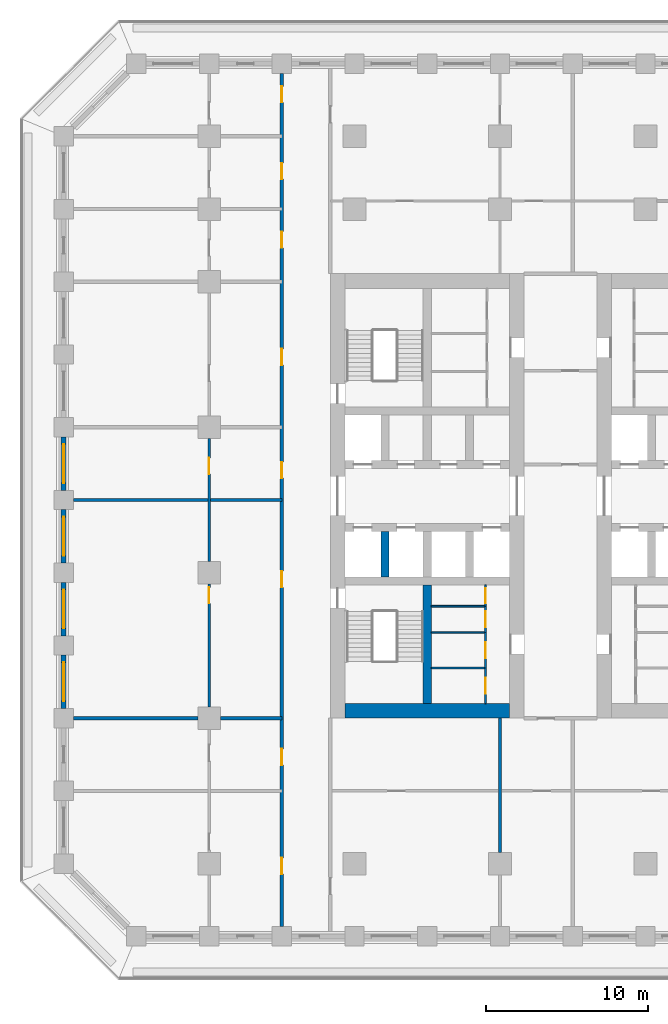
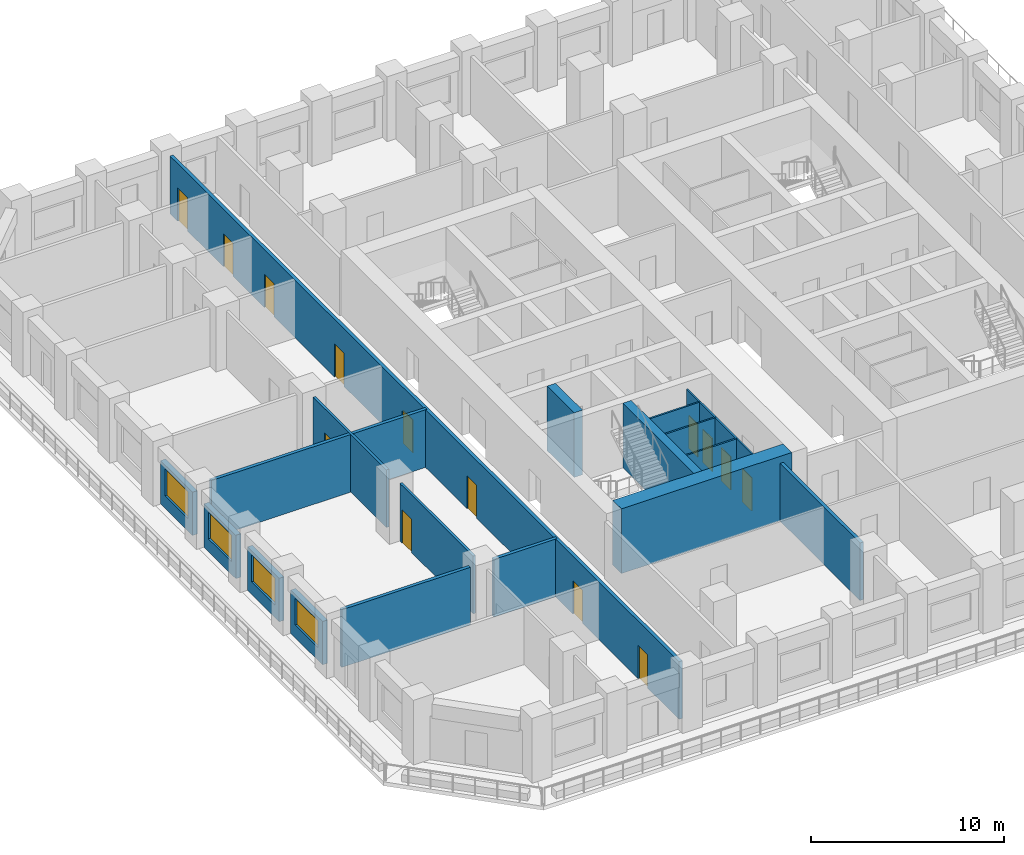
# One storey, part 3 of 17: 21 walls, 14 doors, 4 windows, 18 openings.
"""IFC4 building model written with IfcOpenShell, lengths in metres."""

from ifc_helpers import new_model, si_unit, direction, frame, frame_2d, origin, place, context, subcontext, project, spatial, rectangle, extrude, material, layer, layer_set, type_object, element, fill, save


model = new_model("IFC4")

# Units and contexts
model_context = context("Model", 3, precision=1e-05, world=origin(), true_north=direction((0.0, 1.0)))
body_context = subcontext(model_context, "Body", "Model", "MODEL_VIEW")
ifc_project = project(units=[si_unit("LENGTHUNIT", "METRE"), si_unit("AREAUNIT", "SQUARE_METRE"), si_unit("VOLUMEUNIT", "CUBIC_METRE"), si_unit("PLANEANGLEUNIT", "RADIAN"), si_unit("MASSUNIT", "GRAM", prefix="KILO")], contexts=[model_context])

# Site, building, storey
site_placement = place(None, origin())
site = spatial("IfcSite", under=ifc_project, at=site_placement, CompositionType="ELEMENT")
building_placement = place(site_placement, origin())
building = spatial("IfcBuilding", under=site, at=building_placement, Name="Corbel Stack Research Tower", CompositionType="ELEMENT")
storey_placement = place(building_placement, frame((0.0, 0.0, 129.0)))
storey = spatial("IfcBuildingStorey", under=building, at=storey_placement, Name="L29", CompositionType="ELEMENT", Elevation=129.0)

# Walls
ifc_material_1 = material(Name="Concrete C70/85", Category="concrete")
ifc_layer_1 = layer(ifc_material_1, 0.5)
ifc_layer_set_1 = layer_set([ifc_layer_1], Name="Concrete C70/85")
wall_type_1 = type_object("IfcWallType", Name="CW-500-70", PredefinedType="SHEAR", material=ifc_layer_set_1)
wall_1_placement = place(storey_placement, frame((-7.125, -0.25, 0.0), z_axis=(0.0, 0.0, 1.0), x_axis=(0.0, 1.0, 0.0)))
element("IfcWall", 1, at=wall_1_placement, inside=storey, type_object=wall_type_1, Name="West core wall, south shaft 1 L29", PredefinedType="SHEAR", context=body_context, shape_type="SweptSolid", body=[
    extrude(rectangle(XDim=2.800048828125, YDim=0.5, at=frame_2d((1.39990234375, 0.0))), origin(), (0.0, 0.0, 1.0), 4.10009765625),
])
wall_2_placement = place(storey_placement, frame((-4.5, -8.10009765625, 0.0), z_axis=(0.0, 0.0, 1.0), x_axis=(0.0, 1.0, 0.0)))
element("IfcWall", 2, at=wall_2_placement, inside=storey, type_object=wall_type_1, Name="West core wall, south stair and WC L29", PredefinedType="SHEAR", context=body_context, shape_type="SweptSolid", body=[
    extrude(rectangle(XDim=7.35009765625, YDim=0.5, at=frame_2d((3.675048828125, 0.0))), origin(), (0.0, 0.0, 1.0), 4.10009765625),
])
ifc_material_2 = material(Name="Concrete C70/85", Category="concrete")
ifc_layer_2 = layer(ifc_material_2, 0.89990234375)
ifc_layer_set_2 = layer_set([ifc_layer_2], Name="Concrete C70/85")
wall_type_2 = type_object("IfcWallType", Name="CW-900-70", PredefinedType="SHEAR", material=ifc_layer_set_2)
wall_3_placement = place(storey_placement, frame((-9.60009765625, -8.550048828125, 0.0), z_axis=(0.0, 0.0, 1.0), x_axis=(1.0, 0.0, 0.0)))
element("IfcWall", 3, at=wall_3_placement, inside=storey, type_object=wall_type_2, Name="West core wall, south end L29", PredefinedType="SHEAR", context=body_context, shape_type="SweptSolid", body=[
    extrude(rectangle(XDim=10.2001953125, YDim=0.89990234375, at=frame_2d((5.10009765625, 0.0))), origin(), (0.0, 0.0, 1.0), 4.10009765625),
])

# Wall, opening, door
ifc_material_3 = material(Name="Gypsum board")
ifc_layer_3 = layer(ifc_material_3, 0.10009765625)
ifc_layer_set_3 = layer_set([ifc_layer_3], Name="Gypsum board")
wall_type_3 = type_object("IfcWallType", Name="Core partition 100", PredefinedType="PARTITIONING", material=ifc_layer_set_3)
wall_4_placement = place(storey_placement, frame((-0.89990234375, -8.10009765625, 0.0), z_axis=(0.0, 0.0, 1.0), x_axis=(0.0, 1.0, 0.0)))
wall_4 = element("IfcWall", 4, at=wall_4_placement, inside=storey, type_object=wall_type_3, Name="Core partition W", PredefinedType="PARTITIONING", context=body_context, shape_type="SweptSolid", body=[
    extrude(rectangle(XDim=2.205078125, YDim=0.10009765625, at=frame_2d((1.1025390625, 0.0))), origin(), (0.0, 0.0, 1.0), 3.64990234375),
])
opening_1_placement = place(wall_4_placement, frame((0.6025390625, 0.0, 0.0)))
opening_1 = element("IfcOpeningElement", 5, at=opening_1_placement, cuts=wall_4, Name="Opening CR-W42-W2-1000", PredefinedType="OPENING", context=body_context, shape_type="SweptSolid", body=[
    extrude(rectangle(XDim=1.0, YDim=2.10009765625, at=frame_2d((0.5, 1.050048828125))), frame((0.0, 0.06005859375, 0.0), z_axis=(0.0, -1.0, 0.0), x_axis=(1.0, 0.0, 0.0)), (0.0, 0.0, 1.0), 0.1201171875),
])
ifc_material_4 = material(Name="Painted timber door", Category="wood")
door_type_1 = type_object("IfcDoorType", Name="WC door 1000 x 2100 right hand", OperationType="SINGLE_SWING_RIGHT", PredefinedType="DOOR", material=ifc_material_4)
door_1_placement = place(opening_1_placement, origin())
door_1 = element("IfcDoor", 6, at=door_1_placement, inside=storey, type_object=door_type_1, Name="Men's WC door W core", OperationType="SINGLE_SWING_RIGHT", OverallHeight=2.10009765625, OverallWidth=1.0, PredefinedType="DOOR", context=body_context, shape_type="SweptSolid", body=[
    extrude(rectangle(XDim=1.0, YDim=2.10009765625, at=frame_2d((0.5, 1.050048828125))), frame((0.0, 0.02490234375, 0.0), z_axis=(0.0, -1.0, 0.0), x_axis=(1.0, 0.0, 0.0)), (0.0, 0.0, 1.0), 0.050048828125),
])
fill(opening_1, door_1)

wall_5_placement = place(storey_placement, frame((-0.89990234375, -5.89501953125, 0.0), z_axis=(0.0, 0.0, 1.0), x_axis=(0.0, 1.0, 0.0)))
wall_5 = element("IfcWall", 7, at=wall_5_placement, inside=storey, type_object=wall_type_3, Name="Core partition W", PredefinedType="PARTITIONING", context=body_context, shape_type="SweptSolid", body=[
    extrude(rectangle(XDim=2.205078125, YDim=0.10009765625, at=frame_2d((1.1025390625, 0.0))), origin(), (0.0, 0.0, 1.0), 3.64990234375),
])
opening_2_placement = place(wall_5_placement, frame((0.6025390625, 0.0, 0.0)))
opening_2 = element("IfcOpeningElement", 8, at=opening_2_placement, cuts=wall_5, Name="Opening CR-W42-W3-1000", PredefinedType="OPENING", context=body_context, shape_type="SweptSolid", body=[
    extrude(rectangle(XDim=1.0, YDim=2.10009765625, at=frame_2d((0.5, 1.050048828125))), frame((0.0, 0.06005859375, 0.0), z_axis=(0.0, -1.0, 0.0), x_axis=(1.0, 0.0, 0.0)), (0.0, 0.0, 1.0), 0.1201171875),
])
ifc_material_5 = material(Name="Painted timber door", Category="wood")
door_type_2 = type_object("IfcDoorType", Name="WC door 1000 x 2100 left hand", OperationType="SINGLE_SWING_LEFT", PredefinedType="DOOR", material=ifc_material_5)
door_2_placement = place(opening_2_placement, origin())
door_2 = element("IfcDoor", 9, at=door_2_placement, inside=storey, type_object=door_type_2, Name="Women's WC door W core", OperationType="SINGLE_SWING_LEFT", OverallHeight=2.10009765625, OverallWidth=1.0, PredefinedType="DOOR", context=body_context, shape_type="SweptSolid", body=[
    extrude(rectangle(XDim=1.0, YDim=2.10009765625, at=frame_2d((0.5, 1.050048828125))), frame((0.0, 0.02490234375, 0.0), z_axis=(0.0, -1.0, 0.0), x_axis=(1.0, 0.0, 0.0)), (0.0, 0.0, 1.0), 0.050048828125),
])
fill(opening_2, door_2)

wall_6_placement = place(storey_placement, frame((-0.89990234375, -3.68994140625, 0.0), z_axis=(0.0, 0.0, 1.0), x_axis=(0.0, 1.0, 0.0)))
wall_6 = element("IfcWall", 10, at=wall_6_placement, inside=storey, type_object=wall_type_3, Name="Core partition W", PredefinedType="PARTITIONING", context=body_context, shape_type="SweptSolid", body=[
    extrude(rectangle(XDim=1.616943359375, YDim=0.10009765625, at=frame_2d((0.80859375, 0.0))), origin(), (0.0, 0.0, 1.0), 3.64990234375),
])
opening_3_placement = place(wall_6_placement, frame((0.30859375, 0.0, 0.0)))
opening_3 = element("IfcOpeningElement", 11, at=opening_3_placement, cuts=wall_6, Name="Opening CR-W42-W4-1000", PredefinedType="OPENING", context=body_context, shape_type="SweptSolid", body=[
    extrude(rectangle(XDim=1.0, YDim=2.10009765625, at=frame_2d((0.5, 1.050048828125))), frame((0.0, 0.06005859375, 0.0), z_axis=(0.0, -1.0, 0.0), x_axis=(1.0, 0.0, 0.0)), (0.0, 0.0, 1.0), 0.1201171875),
])
door_3_placement = place(opening_3_placement, origin())
door_3 = element("IfcDoor", 12, at=door_3_placement, inside=storey, type_object=door_type_1, Name="Accessible WC door W core", OperationType="SINGLE_SWING_RIGHT", OverallHeight=2.10009765625, OverallWidth=1.0, PredefinedType="DOOR", context=body_context, shape_type="SweptSolid", body=[
    extrude(rectangle(XDim=1.0, YDim=2.10009765625, at=frame_2d((0.5, 1.050048828125))), frame((0.0, 0.02490234375, 0.0), z_axis=(0.0, -1.0, 0.0), x_axis=(1.0, 0.0, 0.0)), (0.0, 0.0, 1.0), 0.050048828125),
])
fill(opening_3, door_3)

wall_7_placement = place(storey_placement, frame((-0.89990234375, -2.072998046875, 0.0), z_axis=(0.0, 0.0, 1.0), x_axis=(0.0, 1.0, 0.0)))
wall_7 = element("IfcWall", 13, at=wall_7_placement, inside=storey, type_object=wall_type_3, Name="Core partition W", PredefinedType="PARTITIONING", context=body_context, shape_type="SweptSolid", body=[
    extrude(rectangle(XDim=1.322998046875, YDim=0.10009765625, at=frame_2d((0.66162109375, 0.0))), origin(), (0.0, 0.0, 1.0), 3.64990234375),
])
opening_4_placement = place(wall_7_placement, frame((0.199951171875, 0.0, 0.0)))
opening_4 = element("IfcOpeningElement", 14, at=opening_4_placement, cuts=wall_7, Name="Opening CR-W42-W5-923", PredefinedType="OPENING", context=body_context, shape_type="SweptSolid", body=[
    extrude(rectangle(XDim=0.923095703125, YDim=2.10009765625, at=frame_2d((0.46142578125, 1.050048828125))), frame((0.0, 0.06005859375, 0.0), z_axis=(0.0, -1.0, 0.0), x_axis=(1.0, 0.0, 0.0)), (0.0, 0.0, 1.0), 0.1201171875),
])
ifc_material_6 = material(Name="Painted steel door", Category="steel")
door_type_3 = type_object("IfcDoorType", Name="Service door 923 x 2100 FD30 left hand", OperationType="SINGLE_SWING_LEFT", PredefinedType="DOOR", material=ifc_material_6)
door_4_placement = place(opening_4_placement, origin())
door_4 = element("IfcDoor", 15, at=door_4_placement, inside=storey, type_object=door_type_3, Name="Cleaner's store door W core", OperationType="SINGLE_SWING_LEFT", OverallHeight=2.10009765625, OverallWidth=0.923095703125, PredefinedType="DOOR", context=body_context, shape_type="SweptSolid", body=[
    extrude(rectangle(XDim=0.923095703125, YDim=2.10009765625, at=frame_2d((0.46142578125, 1.050048828125))), frame((0.0, 0.02490234375, 0.0), z_axis=(0.0, -1.0, 0.0), x_axis=(1.0, 0.0, 0.0)), (0.0, 0.0, 1.0), 0.050048828125),
])
fill(opening_4, door_4)

# Walls
for number, where, z_axis, x_axis, name in (
    (16, (-4.25, -5.89501953125, 0.0), (0.0, 0.0, 1.0), (1.0, 0.0, 0.0), "Core partition W"),
    (17, (-4.25, -3.68994140625, 0.0), (0.0, 0.0, 1.0), (1.0, 0.0, 0.0), "Core partition W"),
    (18, (-4.25, -2.072998046875, 0.0), (0.0, 0.0, 1.0), (1.0, 0.0, 0.0), "Core partition W"),
):
    element("IfcWall", number, at=place(storey_placement, frame(where, z_axis=z_axis, x_axis=x_axis)), inside=storey, type_object=wall_type_3, Name=name, PredefinedType="PARTITIONING", context=body_context, shape_type="SweptSolid", body=[
        extrude(rectangle(XDim=3.35009765625, YDim=0.10009765625, at=frame_2d((1.675048828125, 0.0))), origin(), (0.0, 0.0, 1.0), 3.64990234375),
    ])

# Wall, openings, doors
ifc_material_7 = material(Name="Fire-rated gypsum board partition on steel studs", Category="steel")
ifc_layer_4 = layer(ifc_material_7, 0.199951171875)
ifc_layer_set_4 = layer_set([ifc_layer_4], Name="Fire-rated gypsum board partition on steel studs")
wall_type_4 = type_object("IfcWallType", Name="Fire-rated partition 200 EI 60", PredefinedType="PARTITIONING", material=ifc_layer_set_4)
wall_8_placement = place(storey_placement, frame((-13.5, -21.89990234375, 0.0), z_axis=(0.0, 0.0, 1.0), x_axis=(0.0, 1.0, 0.0)))
wall_8 = element("IfcWall", 19, at=wall_8_placement, inside=storey, type_object=wall_type_4, Name="Partition L29-009", PredefinedType="PARTITIONING", context=body_context, shape_type="SweptSolid", body=[
    extrude(rectangle(XDim=52.7998046875, YDim=0.199951171875, at=frame_2d((26.39990234375, 0.0))), origin(), (0.0, 0.0, 1.0), 3.64990234375),
])
opening_5_placement = place(wall_8_placement, frame((3.25, 0.0, 0.0)))
opening_5 = element("IfcOpeningElement", 20, at=opening_5_placement, cuts=wall_8, Name="Opening B4V1-009", PredefinedType="OPENING", context=body_context, shape_type="SweptSolid", body=[
    extrude(rectangle(XDim=1.0, YDim=2.10009765625, at=frame_2d((0.5, 1.050048828125))), frame((0.0, 0.10986328125, 0.0), z_axis=(0.0, -1.0, 0.0), x_axis=(1.0, 0.0, 0.0)), (0.0, 0.0, 1.0), 0.219970703125),
])
opening_6_placement = place(wall_8_placement, frame((10.0, 0.0, 0.0)))
opening_6 = element("IfcOpeningElement", 21, at=opening_6_placement, cuts=wall_8, Name="Opening B4V1-010", PredefinedType="OPENING", context=body_context, shape_type="SweptSolid", body=[
    extrude(rectangle(XDim=1.0, YDim=2.10009765625, at=frame_2d((0.5, 1.050048828125))), frame((0.0, 0.10986328125, 0.0), z_axis=(0.0, -1.0, 0.0), x_axis=(1.0, 0.0, 0.0)), (0.0, 0.0, 1.0), 0.219970703125),
])
opening_7_placement = place(wall_8_placement, frame((21.0, 0.0, 0.0)))
opening_7 = element("IfcOpeningElement", 22, at=opening_7_placement, cuts=wall_8, Name="Opening B4V1-012", PredefinedType="OPENING", context=body_context, shape_type="SweptSolid", body=[
    extrude(rectangle(XDim=1.0, YDim=2.10009765625, at=frame_2d((0.5, 1.050048828125))), frame((0.0, 0.10986328125, 0.0), z_axis=(0.0, -1.0, 0.0), x_axis=(1.0, 0.0, 0.0)), (0.0, 0.0, 1.0), 0.219970703125),
])
opening_8_placement = place(wall_8_placement, frame((27.75, 0.0, 0.0)))
opening_8 = element("IfcOpeningElement", 23, at=opening_8_placement, cuts=wall_8, Name="Opening B4V1-014", PredefinedType="OPENING", context=body_context, shape_type="SweptSolid", body=[
    extrude(rectangle(XDim=1.0, YDim=2.10009765625, at=frame_2d((0.5, 1.050048828125))), frame((0.0, 0.10986328125, 0.0), z_axis=(0.0, -1.0, 0.0), x_axis=(1.0, 0.0, 0.0)), (0.0, 0.0, 1.0), 0.219970703125),
])
opening_9_placement = place(wall_8_placement, frame((34.75, 0.0, 0.0)))
opening_9 = element("IfcOpeningElement", 24, at=opening_9_placement, cuts=wall_8, Name="Opening B4V1-016", PredefinedType="OPENING", context=body_context, shape_type="SweptSolid", body=[
    extrude(rectangle(XDim=1.0, YDim=2.10009765625, at=frame_2d((0.5, 1.050048828125))), frame((0.0, 0.10986328125, 0.0), z_axis=(0.0, -1.0, 0.0), x_axis=(1.0, 0.0, 0.0)), (0.0, 0.0, 1.0), 0.219970703125),
])
opening_10_placement = place(wall_8_placement, frame((42.0, 0.0, 0.0)))
opening_10 = element("IfcOpeningElement", 25, at=opening_10_placement, cuts=wall_8, Name="Opening B4V1-017", PredefinedType="OPENING", context=body_context, shape_type="SweptSolid", body=[
    extrude(rectangle(XDim=1.0, YDim=2.10009765625, at=frame_2d((0.5, 1.050048828125))), frame((0.0, 0.10986328125, 0.0), z_axis=(0.0, -1.0, 0.0), x_axis=(1.0, 0.0, 0.0)), (0.0, 0.0, 1.0), 0.219970703125),
])
opening_11_placement = place(wall_8_placement, frame((46.25, 0.0, 0.0)))
opening_11 = element("IfcOpeningElement", 26, at=opening_11_placement, cuts=wall_8, Name="Opening B4V1-018", PredefinedType="OPENING", context=body_context, shape_type="SweptSolid", body=[
    extrude(rectangle(XDim=1.0, YDim=2.10009765625, at=frame_2d((0.5, 1.050048828125))), frame((0.0, 0.10986328125, 0.0), z_axis=(0.0, -1.0, 0.0), x_axis=(1.0, 0.0, 0.0)), (0.0, 0.0, 1.0), 0.219970703125),
])
opening_12_placement = place(wall_8_placement, frame((51.0, 0.0, 0.0)))
opening_12 = element("IfcOpeningElement", 27, at=opening_12_placement, cuts=wall_8, Name="Opening B4V1-019", PredefinedType="OPENING", context=body_context, shape_type="SweptSolid", body=[
    extrude(rectangle(XDim=1.0, YDim=2.10009765625, at=frame_2d((0.5, 1.050048828125))), frame((0.0, 0.10986328125, 0.0), z_axis=(0.0, -1.0, 0.0), x_axis=(1.0, 0.0, 0.0)), (0.0, 0.0, 1.0), 0.219970703125),
])
ifc_material_8 = material(Name="Painted steel fire door", Category="steel")
door_type_4 = type_object("IfcDoorType", Name="Fire door FD30S 1000 x 2100", OperationType="NOTDEFINED", PredefinedType="DOOR", material=ifc_material_8)
door_5_placement = place(opening_5_placement, origin())
door_5 = element("IfcDoor", 28, at=door_5_placement, inside=storey, type_object=door_type_4, Name="Door B4V1-009", OperationType="SINGLE_SWING_LEFT", OverallHeight=2.10009765625, OverallWidth=1.0, PredefinedType="DOOR", context=body_context, shape_type="SweptSolid", body=[
    extrude(rectangle(XDim=1.0, YDim=2.10009765625, at=frame_2d((0.5, 1.050048828125))), frame((0.0, 0.02490234375, 0.0), z_axis=(0.0, -1.0, 0.0), x_axis=(1.0, 0.0, 0.0)), (0.0, 0.0, 1.0), 0.050048828125),
])
fill(opening_5, door_5)
door_6_placement = place(opening_6_placement, origin())
door_6 = element("IfcDoor", 29, at=door_6_placement, inside=storey, type_object=door_type_4, Name="Door B4V1-010", OperationType="SINGLE_SWING_LEFT", OverallHeight=2.10009765625, OverallWidth=1.0, PredefinedType="DOOR", context=body_context, shape_type="SweptSolid", body=[
    extrude(rectangle(XDim=1.0, YDim=2.10009765625, at=frame_2d((0.5, 1.050048828125))), frame((0.0, 0.02490234375, 0.0), z_axis=(0.0, -1.0, 0.0), x_axis=(1.0, 0.0, 0.0)), (0.0, 0.0, 1.0), 0.050048828125),
])
fill(opening_6, door_6)
door_7_placement = place(opening_7_placement, origin())
door_7 = element("IfcDoor", 30, at=door_7_placement, inside=storey, type_object=door_type_4, Name="Door B4V1-012", OperationType="SINGLE_SWING_LEFT", OverallHeight=2.10009765625, OverallWidth=1.0, PredefinedType="DOOR", context=body_context, shape_type="SweptSolid", body=[
    extrude(rectangle(XDim=1.0, YDim=2.10009765625, at=frame_2d((0.5, 1.050048828125))), frame((0.0, 0.02490234375, 0.0), z_axis=(0.0, -1.0, 0.0), x_axis=(1.0, 0.0, 0.0)), (0.0, 0.0, 1.0), 0.050048828125),
])
fill(opening_7, door_7)
door_8_placement = place(opening_8_placement, origin())
door_8 = element("IfcDoor", 31, at=door_8_placement, inside=storey, type_object=door_type_4, Name="Door B4V1-014", OperationType="SINGLE_SWING_RIGHT", OverallHeight=2.10009765625, OverallWidth=1.0, PredefinedType="DOOR", context=body_context, shape_type="SweptSolid", body=[
    extrude(rectangle(XDim=1.0, YDim=2.10009765625, at=frame_2d((0.5, 1.050048828125))), frame((0.0, 0.02490234375, 0.0), z_axis=(0.0, -1.0, 0.0), x_axis=(1.0, 0.0, 0.0)), (0.0, 0.0, 1.0), 0.050048828125),
])
fill(opening_8, door_8)
door_9_placement = place(opening_9_placement, origin())
door_9 = element("IfcDoor", 32, at=door_9_placement, inside=storey, type_object=door_type_4, Name="Door B4V1-016", OperationType="SINGLE_SWING_RIGHT", OverallHeight=2.10009765625, OverallWidth=1.0, PredefinedType="DOOR", context=body_context, shape_type="SweptSolid", body=[
    extrude(rectangle(XDim=1.0, YDim=2.10009765625, at=frame_2d((0.5, 1.050048828125))), frame((0.0, 0.02490234375, 0.0), z_axis=(0.0, -1.0, 0.0), x_axis=(1.0, 0.0, 0.0)), (0.0, 0.0, 1.0), 0.050048828125),
])
fill(opening_9, door_9)
door_10_placement = place(opening_10_placement, origin())
door_10 = element("IfcDoor", 33, at=door_10_placement, inside=storey, type_object=door_type_4, Name="Door B4V1-017", OperationType="SINGLE_SWING_RIGHT", OverallHeight=2.10009765625, OverallWidth=1.0, PredefinedType="DOOR", context=body_context, shape_type="SweptSolid", body=[
    extrude(rectangle(XDim=1.0, YDim=2.10009765625, at=frame_2d((0.5, 1.050048828125))), frame((0.0, 0.02490234375, 0.0), z_axis=(0.0, -1.0, 0.0), x_axis=(1.0, 0.0, 0.0)), (0.0, 0.0, 1.0), 0.050048828125),
])
fill(opening_10, door_10)
door_11_placement = place(opening_11_placement, origin())
door_11 = element("IfcDoor", 34, at=door_11_placement, inside=storey, type_object=door_type_4, Name="Door B4V1-018", OperationType="SINGLE_SWING_RIGHT", OverallHeight=2.10009765625, OverallWidth=1.0, PredefinedType="DOOR", context=body_context, shape_type="SweptSolid", body=[
    extrude(rectangle(XDim=1.0, YDim=2.10009765625, at=frame_2d((0.5, 1.050048828125))), frame((0.0, 0.02490234375, 0.0), z_axis=(0.0, -1.0, 0.0), x_axis=(1.0, 0.0, 0.0)), (0.0, 0.0, 1.0), 0.050048828125),
])
fill(opening_11, door_11)
door_12_placement = place(opening_12_placement, origin())
door_12 = element("IfcDoor", 35, at=door_12_placement, inside=storey, type_object=door_type_4, Name="Door B4V1-019", OperationType="SINGLE_SWING_RIGHT", OverallHeight=2.10009765625, OverallWidth=1.0, PredefinedType="DOOR", context=body_context, shape_type="SweptSolid", body=[
    extrude(rectangle(XDim=1.0, YDim=2.10009765625, at=frame_2d((0.5, 1.050048828125))), frame((0.0, 0.02490234375, 0.0), z_axis=(0.0, -1.0, 0.0), x_axis=(1.0, 0.0, 0.0)), (0.0, 0.0, 1.0), 0.050048828125),
])
fill(opening_12, door_12)

# Walls
wall_9_placement = place(storey_placement, frame((0.0, -17.300048828125, 0.0), z_axis=(0.0, 0.0, 1.0), x_axis=(0.0, 1.0, 0.0)))
element("IfcWall", 36, at=wall_9_placement, inside=storey, type_object=wall_type_4, Name="Partition L29-016", PredefinedType="PARTITIONING", context=body_context, shape_type="SweptSolid", body=[
    extrude(rectangle(XDim=8.300048828125, YDim=0.199951171875, at=frame_2d((4.14990234375, 0.0))), origin(), (0.0, 0.0, 1.0), 3.64990234375),
])
wall_10_placement = place(storey_placement, frame((-26.39990234375, -9.0, 0.0), z_axis=(0.0, 0.0, 1.0), x_axis=(1.0, 0.0, 0.0)))
element("IfcWall", 37, at=wall_10_placement, inside=storey, type_object=wall_type_4, Name="Partition L29-028", PredefinedType="PARTITIONING", context=body_context, shape_type="SweptSolid", body=[
    extrude(rectangle(XDim=7.699951171875, YDim=0.199951171875, at=frame_2d((3.85009765625, 0.0))), origin(), (0.0, 0.0, 1.0), 3.64990234375),
])
wall_11_placement = place(storey_placement, frame((-17.300048828125, -9.0, 0.0), z_axis=(0.0, 0.0, 1.0), x_axis=(1.0, 0.0, 0.0)))
element("IfcWall", 38, at=wall_11_placement, inside=storey, type_object=wall_type_4, Name="Partition L29-029", PredefinedType="PARTITIONING", context=body_context, shape_type="SweptSolid", body=[
    extrude(rectangle(XDim=3.800048828125, YDim=0.199951171875, at=frame_2d((1.89990234375, 0.0))), origin(), (0.0, 0.0, 1.0), 3.64990234375),
])
wall_12_placement = place(storey_placement, frame((-26.39990234375, 4.5, 0.0), z_axis=(0.0, 0.0, 1.0), x_axis=(1.0, 0.0, 0.0)))
element("IfcWall", 39, at=wall_12_placement, inside=storey, type_object=wall_type_4, Name="Partition L29-033", PredefinedType="PARTITIONING", context=body_context, shape_type="SweptSolid", body=[
    extrude(rectangle(XDim=12.89990234375, YDim=0.199951171875, at=frame_2d((6.449951171875, 0.0))), origin(), (0.0, 0.0, 1.0), 3.64990234375),
])

# Wall, opening, door
ifc_material_9 = material(Name="Gypsum board partition on steel studs", Category="steel")
ifc_layer_5 = layer(ifc_material_9, 0.14990234375)
ifc_layer_set_5 = layer_set([ifc_layer_5], Name="Gypsum board partition on steel studs")
wall_type_5 = type_object("IfcWallType", Name="Partition 150", PredefinedType="PARTITIONING", material=ifc_layer_set_5)
wall_13_placement = place(storey_placement, frame((-18.0, -8.300048828125, 0.0), z_axis=(0.0, 0.0, 1.0), x_axis=(0.0, 1.0, 0.0)))
wall_13 = element("IfcWall", 40, at=wall_13_placement, inside=storey, type_object=wall_type_5, Name="Partition L29-003", PredefinedType="PARTITIONING", context=body_context, shape_type="SweptSolid", body=[
    extrude(rectangle(XDim=7.60009765625, YDim=0.14990234375, at=frame_2d((3.800048828125, 0.0))), origin(), (0.0, 0.0, 1.0), 3.64990234375),
])
opening_13_placement = place(wall_13_placement, frame((6.39990234375, 0.0, 0.0)))
opening_13 = element("IfcOpeningElement", 41, at=opening_13_placement, cuts=wall_13, Name="Opening B4V1-003", PredefinedType="OPENING", context=body_context, shape_type="SweptSolid", body=[
    extrude(rectangle(XDim=1.0, YDim=2.10009765625, at=frame_2d((0.5, 1.050048828125))), frame((0.0, 0.0849609375, 0.0), z_axis=(0.0, -1.0, 0.0), x_axis=(1.0, 0.0, 0.0)), (0.0, 0.0, 1.0), 0.169921875),
])
ifc_material_10 = material(Name="Painted timber door", Category="wood")
door_type_5 = type_object("IfcDoorType", Name="Single door 1000 x 2100", OperationType="NOTDEFINED", PredefinedType="DOOR", material=ifc_material_10)
door_13_placement = place(opening_13_placement, origin())
door_13 = element("IfcDoor", 42, at=door_13_placement, inside=storey, type_object=door_type_5, Name="Door B4V1-003", OperationType="SINGLE_SWING_RIGHT", OverallHeight=2.10009765625, OverallWidth=1.0, PredefinedType="DOOR", context=body_context, shape_type="SweptSolid", body=[
    extrude(rectangle(XDim=1.0, YDim=2.10009765625, at=frame_2d((0.5, 1.050048828125))), frame((0.0, 0.02490234375, 0.0), z_axis=(0.0, -1.0, 0.0), x_axis=(1.0, 0.0, 0.0)), (0.0, 0.0, 1.0), 0.050048828125),
])
fill(opening_13, door_13)

wall_14_placement = place(storey_placement, frame((-18.0, 0.699951171875, 0.0), z_axis=(0.0, 0.0, 1.0), x_axis=(0.0, 1.0, 0.0)))
wall_14 = element("IfcWall", 43, at=wall_14_placement, inside=storey, type_object=wall_type_5, Name="Partition L29-004", PredefinedType="PARTITIONING", context=body_context, shape_type="SweptSolid", body=[
    extrude(rectangle(XDim=7.60009765625, YDim=0.14990234375, at=frame_2d((3.800048828125, 0.0))), origin(), (0.0, 0.0, 1.0), 3.64990234375),
])
opening_14_placement = place(wall_14_placement, frame((5.39990234375, 0.0, 0.0)))
opening_14 = element("IfcOpeningElement", 44, at=opening_14_placement, cuts=wall_14, Name="Opening B4V1-004", PredefinedType="OPENING", context=body_context, shape_type="SweptSolid", body=[
    extrude(rectangle(XDim=1.0, YDim=2.10009765625, at=frame_2d((0.5, 1.050048828125))), frame((0.0, 0.0849609375, 0.0), z_axis=(0.0, -1.0, 0.0), x_axis=(1.0, 0.0, 0.0)), (0.0, 0.0, 1.0), 0.169921875),
])
door_14_placement = place(opening_14_placement, origin())
door_14 = element("IfcDoor", 45, at=door_14_placement, inside=storey, type_object=door_type_5, Name="Door B4V1-004", OperationType="SINGLE_SWING_RIGHT", OverallHeight=2.10009765625, OverallWidth=1.0, PredefinedType="DOOR", context=body_context, shape_type="SweptSolid", body=[
    extrude(rectangle(XDim=1.0, YDim=2.10009765625, at=frame_2d((0.5, 1.050048828125))), frame((0.0, 0.02490234375, 0.0), z_axis=(0.0, -1.0, 0.0), x_axis=(1.0, 0.0, 0.0)), (0.0, 0.0, 1.0), 0.050048828125),
])
fill(opening_14, door_14)

# Wall, opening, window
ifc_material_11 = material(Name="Concrete C45/55", Category="concrete")
ifc_layer_6 = layer(ifc_material_11, 0.300048828125)
ifc_layer_set_6 = layer_set([ifc_layer_6], Name="Concrete C45/55")
wall_type_6 = type_object("IfcWallType", Name="Terracotta-faced concrete wall 300", PredefinedType="SOLIDWALL", material=ifc_layer_set_6)
wall_15_placement = place(storey_placement, frame((-27.0, 5.10009765625, 0.0), z_axis=(0.0, 0.0, 1.0), x_axis=(0.0, 1.0, 0.0)))
wall_15 = element("IfcWall", 46, at=wall_15_placement, inside=storey, type_object=wall_type_6, Name="Facade wall L29 W05", PredefinedType="SOLIDWALL", context=body_context, shape_type="SweptSolid", body=[
    extrude(rectangle(XDim=3.2998046875, YDim=0.300048828125, at=frame_2d((1.64990234375, 0.0))), origin(), (0.0, 0.0, 1.0), 2.75),
])
opening_15_placement = place(wall_15_placement, frame((0.449951171875, 0.0, 0.800048828125)))
opening_15 = element("IfcOpeningElement", 47, at=opening_15_placement, cuts=wall_15, Name="Opening W1", PredefinedType="OPENING", context=body_context, shape_type="SweptSolid", body=[
    extrude(rectangle(XDim=2.39990234375, YDim=1.699951171875, at=frame_2d((1.199951171875, 0.85009765625))), frame((0.0, 0.159912109375, 0.0), z_axis=(0.0, -1.0, 0.0), x_axis=(1.0, 0.0, 0.0)), (0.0, 0.0, 1.0), 0.320068359375),
])
ifc_material_12 = material(Name="Aluminium frame, clear double glazing", Category="aluminium")
window_type = type_object("IfcWindowType", Name="Window W1 2400 x 1700", PartitioningType="SINGLE_PANEL", PredefinedType="WINDOW", material=ifc_material_12)
window_1_placement = place(opening_15_placement, origin())
window_1 = element("IfcWindow", 48, at=window_1_placement, inside=storey, type_object=window_type, Name="Window W1 L29 W05", OverallHeight=1.699951171875, OverallWidth=2.39990234375, PartitioningType="SINGLE_PANEL", PredefinedType="WINDOW", context=body_context, shape_type="SweptSolid", body=[
    extrude(rectangle(XDim=2.39990234375, YDim=1.699951171875, at=frame_2d((1.199951171875, 0.85009765625))), frame((0.0, 0.030029296875, 0.0), z_axis=(0.0, -1.0, 0.0), x_axis=(1.0, 0.0, 0.0)), (0.0, 0.0, 1.0), 0.06005859375),
])
fill(opening_15, window_1)

wall_16_placement = place(storey_placement, frame((-27.0, 0.60009765625, 0.0), z_axis=(0.0, 0.0, 1.0), x_axis=(0.0, 1.0, 0.0)))
wall_16 = element("IfcWall", 49, at=wall_16_placement, inside=storey, type_object=wall_type_6, Name="Facade wall L29 W06", PredefinedType="SOLIDWALL", context=body_context, shape_type="SweptSolid", body=[
    extrude(rectangle(XDim=3.2998046875, YDim=0.300048828125, at=frame_2d((1.64990234375, 0.0))), origin(), (0.0, 0.0, 1.0), 2.75),
])
opening_16_placement = place(wall_16_placement, frame((0.449951171875, 0.0, 0.800048828125)))
opening_16 = element("IfcOpeningElement", 50, at=opening_16_placement, cuts=wall_16, Name="Opening W1", PredefinedType="OPENING", context=body_context, shape_type="SweptSolid", body=[
    extrude(rectangle(XDim=2.39990234375, YDim=1.699951171875, at=frame_2d((1.199951171875, 0.85009765625))), frame((0.0, 0.159912109375, 0.0), z_axis=(0.0, -1.0, 0.0), x_axis=(1.0, 0.0, 0.0)), (0.0, 0.0, 1.0), 0.320068359375),
])
window_2_placement = place(opening_16_placement, origin())
window_2 = element("IfcWindow", 51, at=window_2_placement, inside=storey, type_object=window_type, Name="Window W1 L29 W06", OverallHeight=1.699951171875, OverallWidth=2.39990234375, PartitioningType="SINGLE_PANEL", PredefinedType="WINDOW", context=body_context, shape_type="SweptSolid", body=[
    extrude(rectangle(XDim=2.39990234375, YDim=1.699951171875, at=frame_2d((1.199951171875, 0.85009765625))), frame((0.0, 0.030029296875, 0.0), z_axis=(0.0, -1.0, 0.0), x_axis=(1.0, 0.0, 0.0)), (0.0, 0.0, 1.0), 0.06005859375),
])
fill(opening_16, window_2)

wall_17_placement = place(storey_placement, frame((-27.0, -3.89990234375, 0.0), z_axis=(0.0, 0.0, 1.0), x_axis=(0.0, 1.0, 0.0)))
wall_17 = element("IfcWall", 52, at=wall_17_placement, inside=storey, type_object=wall_type_6, Name="Facade wall L29 W07", PredefinedType="SOLIDWALL", context=body_context, shape_type="SweptSolid", body=[
    extrude(rectangle(XDim=3.2998046875, YDim=0.300048828125, at=frame_2d((1.64990234375, 0.0))), origin(), (0.0, 0.0, 1.0), 2.75),
])
opening_17_placement = place(wall_17_placement, frame((0.449951171875, 0.0, 0.800048828125)))
opening_17 = element("IfcOpeningElement", 53, at=opening_17_placement, cuts=wall_17, Name="Opening W1", PredefinedType="OPENING", context=body_context, shape_type="SweptSolid", body=[
    extrude(rectangle(XDim=2.39990234375, YDim=1.699951171875, at=frame_2d((1.199951171875, 0.85009765625))), frame((0.0, 0.159912109375, 0.0), z_axis=(0.0, -1.0, 0.0), x_axis=(1.0, 0.0, 0.0)), (0.0, 0.0, 1.0), 0.320068359375),
])
window_3_placement = place(opening_17_placement, origin())
window_3 = element("IfcWindow", 54, at=window_3_placement, inside=storey, type_object=window_type, Name="Window W1 L29 W07", OverallHeight=1.699951171875, OverallWidth=2.39990234375, PartitioningType="SINGLE_PANEL", PredefinedType="WINDOW", context=body_context, shape_type="SweptSolid", body=[
    extrude(rectangle(XDim=2.39990234375, YDim=1.699951171875, at=frame_2d((1.199951171875, 0.85009765625))), frame((0.0, 0.030029296875, 0.0), z_axis=(0.0, -1.0, 0.0), x_axis=(1.0, 0.0, 0.0)), (0.0, 0.0, 1.0), 0.06005859375),
])
fill(opening_17, window_3)

wall_18_placement = place(storey_placement, frame((-27.0, -8.39990234375, 0.0), z_axis=(0.0, 0.0, 1.0), x_axis=(0.0, 1.0, 0.0)))
wall_18 = element("IfcWall", 55, at=wall_18_placement, inside=storey, type_object=wall_type_6, Name="Facade wall L29 W08", PredefinedType="SOLIDWALL", context=body_context, shape_type="SweptSolid", body=[
    extrude(rectangle(XDim=3.2998046875, YDim=0.300048828125, at=frame_2d((1.64990234375, 0.0))), origin(), (0.0, 0.0, 1.0), 2.75),
])
opening_18_placement = place(wall_18_placement, frame((0.449951171875, 0.0, 0.800048828125)))
opening_18 = element("IfcOpeningElement", 56, at=opening_18_placement, cuts=wall_18, Name="Opening W1", PredefinedType="OPENING", context=body_context, shape_type="SweptSolid", body=[
    extrude(rectangle(XDim=2.39990234375, YDim=1.699951171875, at=frame_2d((1.199951171875, 0.85009765625))), frame((0.0, 0.159912109375, 0.0), z_axis=(0.0, -1.0, 0.0), x_axis=(1.0, 0.0, 0.0)), (0.0, 0.0, 1.0), 0.320068359375),
])
window_4_placement = place(opening_18_placement, origin())
window_4 = element("IfcWindow", 57, at=window_4_placement, inside=storey, type_object=window_type, Name="Window W1 L29 W08", OverallHeight=1.699951171875, OverallWidth=2.39990234375, PartitioningType="SINGLE_PANEL", PredefinedType="WINDOW", context=body_context, shape_type="SweptSolid", body=[
    extrude(rectangle(XDim=2.39990234375, YDim=1.699951171875, at=frame_2d((1.199951171875, 0.85009765625))), frame((0.0, 0.030029296875, 0.0), z_axis=(0.0, -1.0, 0.0), x_axis=(1.0, 0.0, 0.0)), (0.0, 0.0, 1.0), 0.06005859375),
])
fill(opening_18, window_4)

save(model, "model.ifc")
